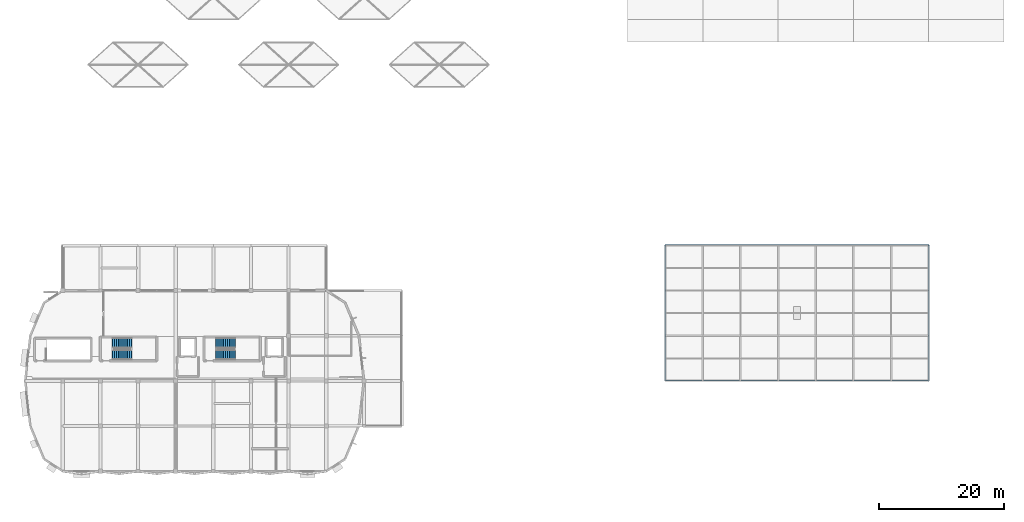
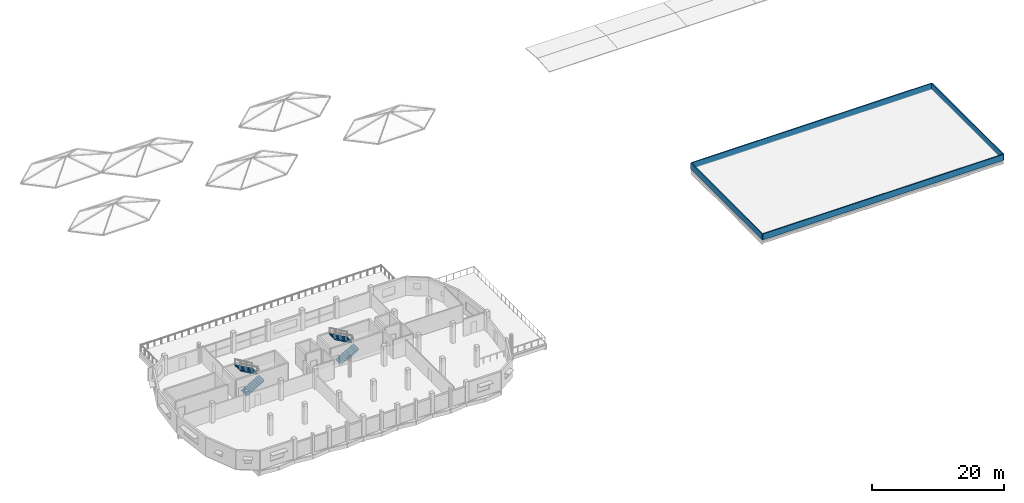
# One storey, part 14 of 19: 4 stair flights, 4 walls, 2 elements without a shape of their own.
"""IFC4 building model written with IfcOpenShell, lengths in metres."""

from ifc_helpers import new_model, si_unit, direction, frame, frame_2d, origin, place, context, subcontext, project, spatial, polyline, rectangle, outline, extrude, material, layer, layer_set, type_object, element, aggregate, save


model = new_model("IFC4")

# Units and contexts
model_context = context("Model", 3, precision=1e-05, world=origin(), true_north=direction((0.0, 1.0)))
body_context = subcontext(model_context, "Body", "Model", "MODEL_VIEW")
ifc_project = project(units=[si_unit("LENGTHUNIT", "METRE"), si_unit("AREAUNIT", "SQUARE_METRE"), si_unit("VOLUMEUNIT", "CUBIC_METRE"), si_unit("PLANEANGLEUNIT", "RADIAN"), si_unit("MASSUNIT", "GRAM", prefix="KILO")], contexts=[model_context])

# Site, building, storey
site_placement = place(None, origin())
site = spatial("IfcSite", under=ifc_project, at=site_placement, CompositionType="ELEMENT")
building_placement = place(site_placement, origin())
building = spatial("IfcBuilding", under=site, at=building_placement, Name="Dunvalen Ferry Terminal", CompositionType="ELEMENT")
storey_placement = place(building_placement, frame((0.0, 0.0, 13.580078125)))
storey = spatial("IfcBuildingStorey", under=building, at=storey_placement, Name="L03", CompositionType="ELEMENT", Elevation=13.580078125)

# Walls
ifc_material_1 = material(Name="Precast concrete C40/50", Category="concrete")
ifc_layer = layer(ifc_material_1, 0.179931640625, Name="Precast concrete C40/50")
ifc_layer_set = layer_set([ifc_layer], Name="Precast concrete C40/50")
wall_type = type_object("IfcWallType", Name="ENV-WL-PAR180", PredefinedType="PARAPET", material=ifc_layer_set)
wall_1_placement = place(storey_placement, frame((114.0, 14.39990234375, 0.0), z_axis=(0.0, 0.0, 1.0), x_axis=(1.0, 0.0, 0.0)))
element("IfcWall", 1, at=wall_1_placement, inside=storey, type_object=wall_type, Name="L03 Promenade Pavilion S Parapet", PredefinedType="PARAPET", context=body_context, shape_type="SweptSolid", body=[
    extrude(rectangle(XDim=42.0, YDim=0.179931640625, at=frame_2d((21.0, 0.0))), origin(), (0.0, 0.0, 1.0), 1.099853515625),
])
wall_2_placement = place(storey_placement, frame((156.0, 14.39990234375, 0.0), z_axis=(0.0, 0.0, 1.0), x_axis=(0.0, 1.0, 0.0)))
element("IfcWall", 2, at=wall_2_placement, inside=storey, type_object=wall_type, Name="L03 Promenade Pavilion E Parapet", PredefinedType="PARAPET", context=body_context, shape_type="SweptSolid", body=[
    extrude(rectangle(XDim=21.60009765625, YDim=0.179931640625, at=frame_2d((10.800048828125, 0.0))), origin(), (0.0, 0.0, 1.0), 1.099853515625),
])
wall_3_placement = place(storey_placement, frame((156.0, 36.0, 0.0), z_axis=(0.0, 0.0, 1.0), x_axis=(-1.0, 0.0, 0.0)))
element("IfcWall", 3, at=wall_3_placement, inside=storey, type_object=wall_type, Name="L03 Promenade Pavilion N Parapet", PredefinedType="PARAPET", context=body_context, shape_type="SweptSolid", body=[
    extrude(rectangle(XDim=42.0, YDim=0.179931640625, at=frame_2d((21.0, 0.0))), origin(), (0.0, 0.0, 1.0), 1.099853515625),
])
wall_4_placement = place(storey_placement, frame((114.0, 36.0, 0.0), z_axis=(0.0, 0.0, 1.0), x_axis=(0.0, -1.0, 0.0)))
element("IfcWall", 4, at=wall_4_placement, inside=storey, type_object=wall_type, Name="L03 Promenade Pavilion W Parapet", PredefinedType="PARAPET", context=body_context, shape_type="SweptSolid", body=[
    extrude(rectangle(XDim=21.60009765625, YDim=0.179931640625, at=frame_2d((10.800048828125, 0.0))), origin(), (0.0, 0.0, 1.0), 1.099853515625),
])

# Stair, stair flights
ifc_material_2 = material(Name="Concrete C35/45", Category="concrete")
stair_type = type_object("IfcStairType", Name="INT-ST-DLG-06", PredefinedType="HALF_TURN_STAIR", material=ifc_material_2)
stair_1_placement = place(storey_placement, origin())
stair_1 = element("IfcStair", 5, at=stair_1_placement, inside=storey, type_object=stair_type, Name="L03 Protected Escape Stair 1", PredefinedType="HALF_TURN_STAIR")
stair_flight_type = type_object("IfcStairFlightType", Name="INT-SFL-STR-06", PredefinedType="STRAIGHT", material=ifc_material_1)
stair_flight_1_placement = place(storey_placement, frame((25.949951171875, 18.574951171875, 0.0), z_axis=(0.0, 0.0, 1.0), x_axis=(1.0, 0.0, 0.0)))
stair_flight_1 = element("IfcStairFlight", 6, at=stair_flight_1_placement, type_object=stair_flight_type, Name="ST1 flight 1", NumberOfRisers=11, NumberOfTreads=10, PredefinedType="STRAIGHT", RiserHeight=0.17, TreadLength=0.3, context=body_context, shape_type="SweptSolid", body=[
    extrude(outline(polyline([(-0.080078125, 0.0), (-0.080078125, 0.080078125), (0.0, 0.169921875), (0.300048828125, 0.169921875), (0.300048828125, 0.340087890625), (0.60009765625, 0.340087890625), (0.60009765625, 0.510009765625), (0.89990234375, 0.510009765625), (0.89990234375, 0.679931640625), (1.199951171875, 0.679931640625), (1.199951171875, 0.85009765625), (1.5, 0.85009765625), (1.5, 1.02001953125), (1.800048828125, 1.02001953125), (1.800048828125, 1.18994140625), (2.10009765625, 1.18994140625), (2.10009765625, 1.360107421875), (2.39990234375, 1.360107421875), (2.39990234375, 1.530029296875), (2.699951171875, 1.530029296875), (2.699951171875, 1.699951171875), (3.0, 1.699951171875), (3.0, 1.8701171875), (3.080078125, 1.8701171875), (3.080078125, 1.710205078125), (3.0, 1.527587890625), (0.303955078125, 0.0), (-0.080078125, 0.0)])), frame((0.0, 0.824951171875, 0.0), z_axis=(0.0, -1.0, 0.0), x_axis=(1.0, 0.0, 0.0)), (0.0, 0.0, 1.0), 1.64990234375),
])
stair_flight_2_placement = place(storey_placement, frame((28.949951171875, 20.425048828125, 1.869873046875), z_axis=(0.0, 0.0, 1.0), x_axis=(-1.0, 0.0, 0.0)))
stair_flight_2 = element("IfcStairFlight", 7, at=stair_flight_2_placement, type_object=stair_flight_type, Name="ST1 flight 2", NumberOfRisers=11, NumberOfTreads=10, PredefinedType="STRAIGHT", RiserHeight=0.17, TreadLength=0.3, context=body_context, shape_type="SweptSolid", body=[
    extrude(outline(polyline([(-0.080078125, 0.0), (-0.080078125, 0.080078125), (0.0, 0.169921875), (0.300048828125, 0.169921875), (0.300048828125, 0.340087890625), (0.60009765625, 0.340087890625), (0.60009765625, 0.510009765625), (0.89990234375, 0.510009765625), (0.89990234375, 0.679931640625), (1.199951171875, 0.679931640625), (1.199951171875, 0.85009765625), (1.5, 0.85009765625), (1.5, 1.02001953125), (1.800048828125, 1.02001953125), (1.800048828125, 1.18994140625), (2.10009765625, 1.18994140625), (2.10009765625, 1.360107421875), (2.39990234375, 1.360107421875), (2.39990234375, 1.530029296875), (2.699951171875, 1.530029296875), (2.699951171875, 1.699951171875), (3.0, 1.699951171875), (3.0, 1.8701171875), (3.080078125, 1.8701171875), (3.080078125, 1.710205078125), (3.0, 1.527587890625), (0.303955078125, 0.0), (-0.080078125, 0.0)])), frame((0.0, 0.824951171875, 0.0), z_axis=(0.0, -1.0, 0.0), x_axis=(1.0, 0.0, 0.0)), (0.0, 0.0, 1.0), 1.64990234375),
])
aggregate(stair_1, [stair_flight_1, stair_flight_2])

stair_2_placement = place(storey_placement, origin())
stair_2 = element("IfcStair", 8, at=stair_2_placement, inside=storey, type_object=stair_type, Name="L03 Protected Escape Stair 2", PredefinedType="HALF_TURN_STAIR")
stair_flight_3_placement = place(storey_placement, frame((42.449951171875, 18.574951171875, 0.0), z_axis=(0.0, 0.0, 1.0), x_axis=(1.0, 0.0, 0.0)))
stair_flight_3 = element("IfcStairFlight", 9, at=stair_flight_3_placement, type_object=stair_flight_type, Name="ST2 flight 1", NumberOfRisers=11, NumberOfTreads=10, PredefinedType="STRAIGHT", RiserHeight=0.17, TreadLength=0.3, context=body_context, shape_type="SweptSolid", body=[
    extrude(outline(polyline([(-0.080078125, 0.0), (-0.080078125, 0.080078125), (0.0, 0.169921875), (0.300048828125, 0.169921875), (0.300048828125, 0.340087890625), (0.60009765625, 0.340087890625), (0.60009765625, 0.510009765625), (0.89990234375, 0.510009765625), (0.89990234375, 0.679931640625), (1.199951171875, 0.679931640625), (1.199951171875, 0.85009765625), (1.5, 0.85009765625), (1.5, 1.02001953125), (1.800048828125, 1.02001953125), (1.800048828125, 1.18994140625), (2.10009765625, 1.18994140625), (2.10009765625, 1.360107421875), (2.39990234375, 1.360107421875), (2.39990234375, 1.530029296875), (2.699951171875, 1.530029296875), (2.699951171875, 1.699951171875), (3.0, 1.699951171875), (3.0, 1.8701171875), (3.080078125, 1.8701171875), (3.080078125, 1.710205078125), (3.0, 1.527587890625), (0.303955078125, 0.0), (-0.080078125, 0.0)])), frame((0.0, 0.824951171875, 0.0), z_axis=(0.0, -1.0, 0.0), x_axis=(1.0, 0.0, 0.0)), (0.0, 0.0, 1.0), 1.64990234375),
])
stair_flight_4_placement = place(storey_placement, frame((45.449951171875, 20.425048828125, 1.869873046875), z_axis=(0.0, 0.0, 1.0), x_axis=(-1.0, 0.0, 0.0)))
stair_flight_4 = element("IfcStairFlight", 10, at=stair_flight_4_placement, type_object=stair_flight_type, Name="ST2 flight 2", NumberOfRisers=11, NumberOfTreads=10, PredefinedType="STRAIGHT", RiserHeight=0.17, TreadLength=0.3, context=body_context, shape_type="SweptSolid", body=[
    extrude(outline(polyline([(-0.080078125, 0.0), (-0.080078125, 0.080078125), (0.0, 0.169921875), (0.300048828125, 0.169921875), (0.300048828125, 0.340087890625), (0.60009765625, 0.340087890625), (0.60009765625, 0.510009765625), (0.89990234375, 0.510009765625), (0.89990234375, 0.679931640625), (1.199951171875, 0.679931640625), (1.199951171875, 0.85009765625), (1.5, 0.85009765625), (1.5, 1.02001953125), (1.800048828125, 1.02001953125), (1.800048828125, 1.18994140625), (2.10009765625, 1.18994140625), (2.10009765625, 1.360107421875), (2.39990234375, 1.360107421875), (2.39990234375, 1.530029296875), (2.699951171875, 1.530029296875), (2.699951171875, 1.699951171875), (3.0, 1.699951171875), (3.0, 1.8701171875), (3.080078125, 1.8701171875), (3.080078125, 1.710205078125), (3.0, 1.527587890625), (0.303955078125, 0.0), (-0.080078125, 0.0)])), frame((0.0, 0.824951171875, 0.0), z_axis=(0.0, -1.0, 0.0), x_axis=(1.0, 0.0, 0.0)), (0.0, 0.0, 1.0), 1.64990234375),
])
aggregate(stair_2, [stair_flight_3, stair_flight_4])

save(model, "model.ifc")
